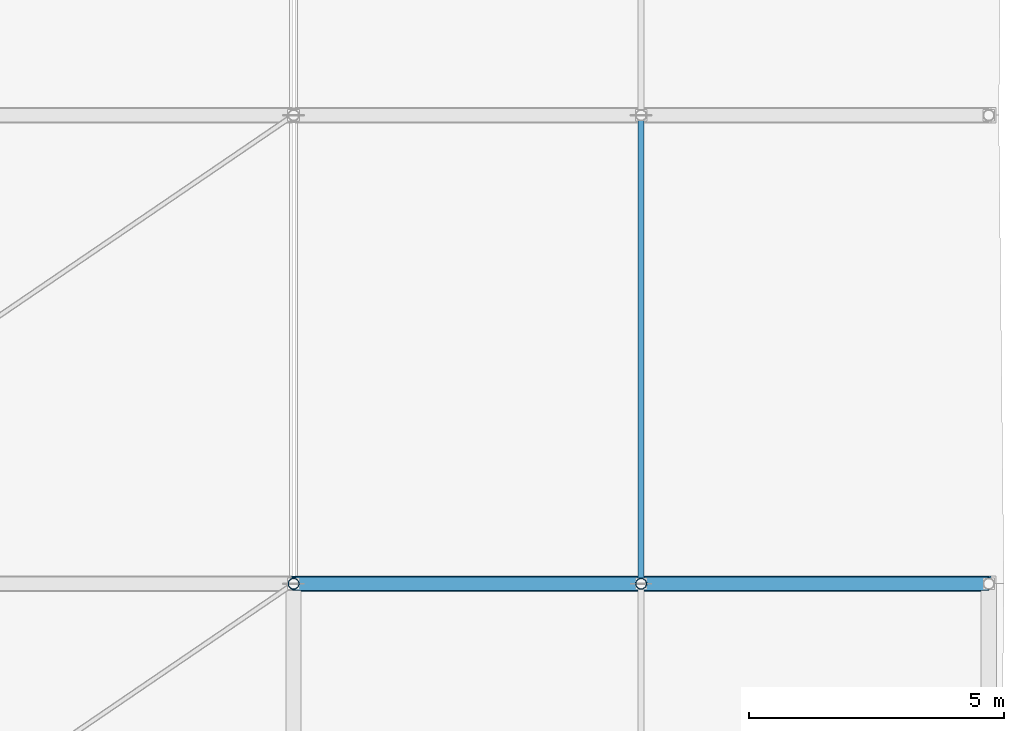
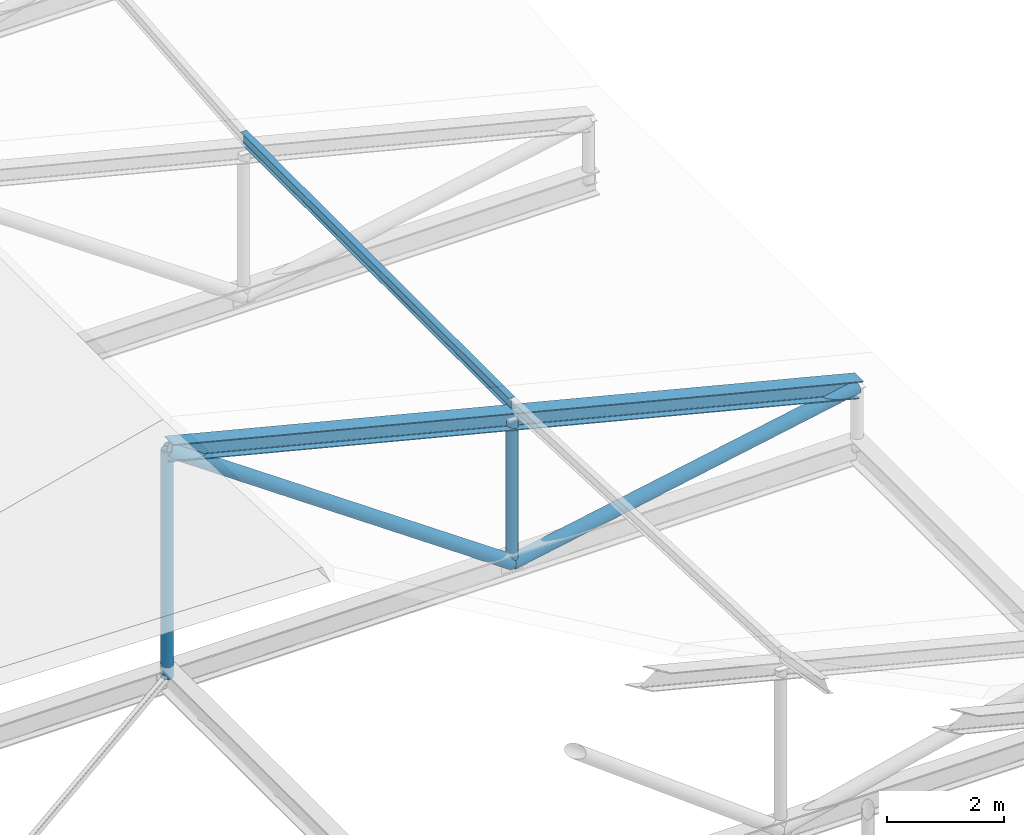
# One storey, part 32 of 56: 6 members.
"""IFC4 building model written with IfcOpenShell, lengths in metres."""

from ifc_helpers import new_model, si_unit, direction, frame, origin, origin_2d, place, context, subcontext, project, spatial, hollow_circle, i_section, extrude, material, material_profile, profile_set, type_object, element, save


model = new_model("IFC4")

# Units and contexts
model_context = context("Model", 3, precision=1e-05, world=origin(), true_north=direction((0.0, 1.0)))
body_context = subcontext(model_context, "Body", "Model", "MODEL_VIEW")
ifc_project = project(units=[si_unit("LENGTHUNIT", "METRE"), si_unit("AREAUNIT", "SQUARE_METRE"), si_unit("VOLUMEUNIT", "CUBIC_METRE"), si_unit("PLANEANGLEUNIT", "RADIAN"), si_unit("MASSUNIT", "GRAM", prefix="KILO")], contexts=[model_context])

# Site, building, storey
site_placement = place(None, origin())
site = spatial("IfcSite", under=ifc_project, at=site_placement, CompositionType="ELEMENT")
building_placement = place(site_placement, origin())
building = spatial("IfcBuilding", under=site, at=building_placement, Name="Bozkorgan Art Gallery", CompositionType="ELEMENT")
storey_placement = place(building_placement, frame((0.0, 0.0, 24.0)))
storey = spatial("IfcBuildingStorey", under=building, at=storey_placement, Name="L05", CompositionType="ELEMENT", Elevation=24.0)

# Members
ifc_material = material(Name="Steel S355J2", Category="steel")
ifc_material_profile_1 = material_profile(ifc_material, i_section(OverallWidth=0.1201171875, OverallDepth=0.239990234375, WebThickness=0.006103515625, FlangeThickness=0.009765625, FilletRadius=0.014892578125, at=origin_2d()), Name="IPE 240")
ifc_profile_set_1 = profile_set([ifc_material_profile_1], Name="Steel S355J2")
member_type_1 = type_object("IfcMemberType", Name="MEMBER-PR-34", PredefinedType="PURLIN", material=ifc_profile_set_1)
member_1_placement = place(storey_placement, frame((157.324951171875, 75.199951171875, 3.571044921875), z_axis=(0.0, 1.0, 0.0), x_axis=(-1.0, 0.0, 0.0)))
element("IfcMember", 1, at=member_1_placement, inside=storey, type_object=member_type_1, Name="ROOF-V5-MAIN roof purlin 3E", PredefinedType="PURLIN", context=body_context, shape_type="SweptSolid", body=[
    extrude(i_section(OverallWidth=0.1201171875, OverallDepth=0.239990234375, WebThickness=0.006103515625, FlangeThickness=0.009765625, FilletRadius=0.014892578125, at=origin_2d()), origin(), (0.0, 0.0, 1.0), 9.199951171875),
])
ifc_material_profile_2 = material_profile(ifc_material, i_section(OverallWidth=0.300048828125, OverallDepth=0.35009765625, WebThickness=0.010009765625, FlangeThickness=0.017578125, FilletRadius=0.027099609375, at=origin_2d()), Name="HEA 360")
ifc_profile_set_2 = profile_set([ifc_material_profile_2], Name="Steel S355J2")
member_type_2 = type_object("IfcMemberType", Name="MEMBER-TC-31", PredefinedType="CHORD", material=ifc_profile_set_2)
member_2_placement = place(storey_placement, frame((150.5, 75.199951171875, 5.003173828125), z_axis=(0.969442896165, 0.0, -0.245317082721), x_axis=(0.0, 1.0, 0.0)))
element("IfcMember", 2, at=member_2_placement, inside=storey, type_object=member_type_2, Name="ROOF-V5-MAIN roof truss 3 east top chord", PredefinedType="CHORD", context=body_context, shape_type="SweptSolid", body=[
    extrude(i_section(OverallWidth=0.300048828125, OverallDepth=0.35009765625, WebThickness=0.010009765625, FlangeThickness=0.017578125, FilletRadius=0.027099609375, at=origin_2d()), origin(), (0.0, 0.0, 1.0), 14.080078125),
])
ifc_material_profile_3 = material_profile(ifc_material, hollow_circle(Radius=0.109619140625, WallThickness=0.010009765625, at=origin_2d()), Name="CHS 219.1x10")
ifc_profile_set_3 = profile_set([ifc_material_profile_3], Name="Steel S355J2")
member_type_3 = type_object("IfcMemberType", Name="MEMBER-TP-78", PredefinedType="POST", material=ifc_profile_set_3)
member_3_placement = place(storey_placement, frame((150.5, 75.199951171875, 0.25), z_axis=(0.0, 0.0, 1.0), x_axis=(1.0, 0.0, 0.0)))
element("IfcMember", 3, at=member_3_placement, inside=storey, type_object=member_type_3, Name="ROOF-V5-MAIN roof truss 3 post 3", PredefinedType="POST", context=body_context, shape_type="SweptSolid", body=[
    extrude(hollow_circle(Radius=0.109619140625, WallThickness=0.010009765625, at=origin_2d()), origin(), (0.0, 0.0, 1.0), 4.753173828125),
])
member_4_placement = place(storey_placement, frame((157.324951171875, 75.199951171875, 0.25), z_axis=(0.0, 0.0, 1.0), x_axis=(1.0, 0.0, 0.0)))
element("IfcMember", 4, at=member_4_placement, inside=storey, type_object=member_type_3, Name="ROOF-V5-MAIN roof truss 3 post 4", PredefinedType="POST", context=body_context, shape_type="SweptSolid", body=[
    extrude(hollow_circle(Radius=0.109619140625, WallThickness=0.010009765625, at=origin_2d()), origin(), (0.0, 0.0, 1.0), 3.026123046875),
])
ifc_material_profile_4 = material_profile(ifc_material, hollow_circle(Radius=0.136474609375, WallThickness=0.012451171875, at=origin_2d()), Name="CHS 273x12.5")
ifc_profile_set_4 = profile_set([ifc_material_profile_4], Name="Steel S355J2")
member_type_4 = type_object("IfcMemberType", Name="MEMBER-TW-28", PredefinedType="BRACE", material=ifc_profile_set_4)
member_5_placement = place(storey_placement, frame((150.5, 75.199951171875, 5.003173828125), z_axis=(0.820601744896, 0.0, -0.571500460432), x_axis=(0.0, 1.0, 0.0)))
element("IfcMember", 5, at=member_5_placement, inside=storey, type_object=member_type_4, Name="ROOF-V5-MAIN roof truss 3 diagonal 4", PredefinedType="BRACE", context=body_context, shape_type="SweptSolid", body=[
    extrude(hollow_circle(Radius=0.136474609375, WallThickness=0.012451171875, at=origin_2d()), origin(), (0.0, 0.0, 1.0), 8.31689453125),
])
member_6_placement = place(storey_placement, frame((157.324951171875, 75.199951171875, 0.25), z_axis=(0.982362856855, 0.0, 0.186984538055), x_axis=(0.0, 1.0, 0.0)))
element("IfcMember", 6, at=member_6_placement, inside=storey, type_object=member_type_4, Name="ROOF-V5-MAIN roof truss 3 diagonal 5", PredefinedType="BRACE", context=body_context, shape_type="SweptSolid", body=[
    extrude(hollow_circle(Radius=0.136474609375, WallThickness=0.012451171875, at=origin_2d()), origin(), (0.0, 0.0, 1.0), 6.947509765625),
])

save(model, "model.ifc")
